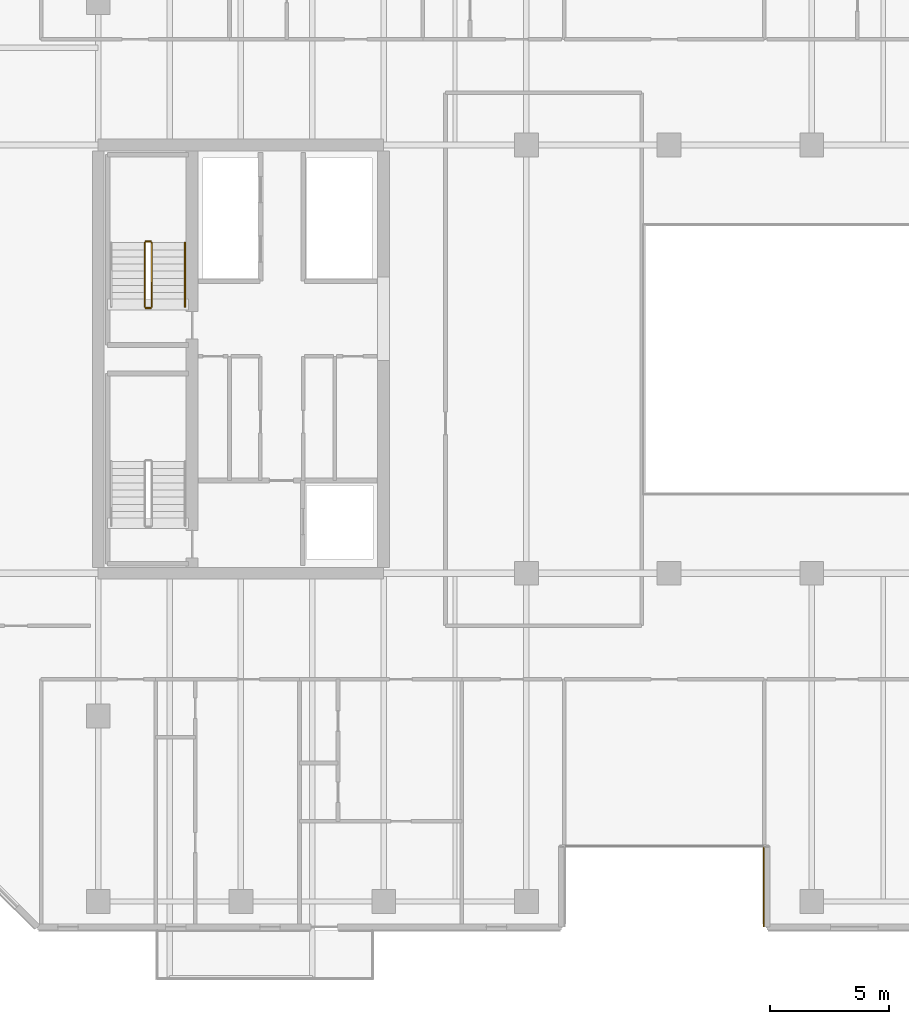
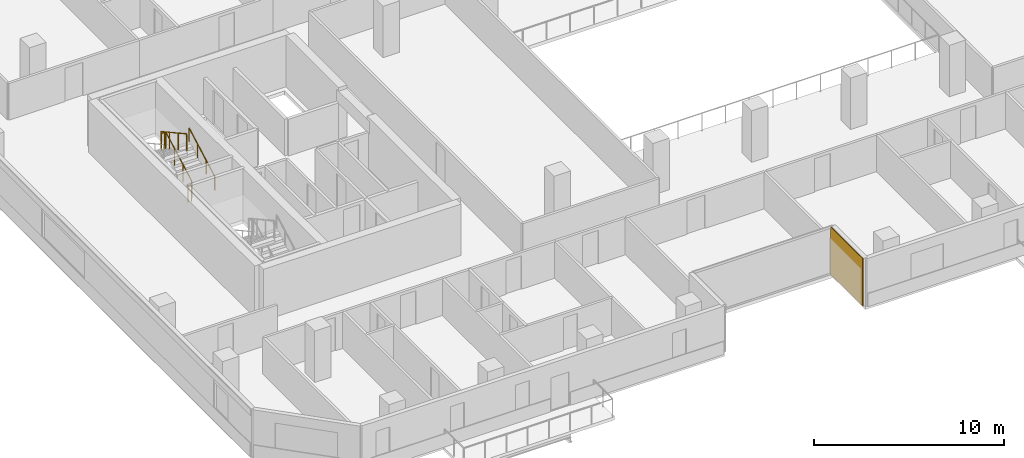
# One storey, part 20 of 23: 5 railings, 1 covering.
"""IFC4 building model written with IfcOpenShell, lengths in metres."""

from ifc_helpers import new_model, si_unit, direction, frame, origin, origin_2d, place, context, subcontext, project, spatial, rectangle, extrude, material, layer, layer_set, type_object, element, save


model = new_model("IFC4")

# Units and contexts
model_context = context("Model", 3, precision=1e-05, world=origin(), true_north=direction((0.0, 1.0)))
body_context = subcontext(model_context, "Body", "Model", "MODEL_VIEW")
ifc_project = project(units=[si_unit("LENGTHUNIT", "METRE"), si_unit("AREAUNIT", "SQUARE_METRE"), si_unit("VOLUMEUNIT", "CUBIC_METRE"), si_unit("PLANEANGLEUNIT", "RADIAN"), si_unit("MASSUNIT", "GRAM", prefix="KILO")], contexts=[model_context])

# Site, building, storey
site_placement = place(None, origin())
site = spatial("IfcSite", under=ifc_project, at=site_placement, CompositionType="ELEMENT")
building_placement = place(site_placement, origin())
building = spatial("IfcBuilding", under=site, at=building_placement, Name="Tanjung Sevakor Pilgrim Tower", CompositionType="ELEMENT")
storey_placement = place(building_placement, frame((0.0, 0.0, 85.469970703125)))
storey = spatial("IfcBuildingStorey", under=building, at=storey_placement, Name="L23", CompositionType="ELEMENT", Elevation=85.469970703125)

# Covering
ifc_material_1 = material(Name="Reconstructed Limestone Cladding", Category="masonry")
ifc_layer = layer(ifc_material_1, 0.044921875)
ifc_layer_set = layer_set([ifc_layer], Name="COV-CLAD-LIMESTONE")
covering_type = type_object("IfcCoveringType", Name="COV-CLAD-LIMESTONE", PredefinedType="CLADDING", material=ifc_layer_set)
covering_placement = place(storey_placement, frame((51.9775390625, 11.425048828125, 0.02001953125), z_axis=(0.0, 0.0, 1.0), x_axis=(0.0, -1.0, 0.0)))
element("IfcCovering", 1, at=covering_placement, inside=storey, type_object=covering_type, Name="L23 Warm Limestone Wall Cladding EW-L23-MAIN-4", PredefinedType="CLADDING", context=body_context, shape_type="SweptSolid", body=[
    extrude(rectangle(XDim=3.360107421875, YDim=0.044921875, at=origin_2d()), origin(), (0.0, 0.0, 1.0), 3.0400390625),
])

# Railings
ifc_material_2 = material(Name="Steel S355J2", Category="steel")
railing_type_1 = type_object("IfcRailingType", Name="RL-STAIR-GUARD", PredefinedType="GUARDRAIL", material=ifc_material_2)
railing_1_placement = place(storey_placement, frame((26.25, 35.800048828125, 0.1650390625)))
element("IfcRailing", 2, at=railing_1_placement, inside=storey, type_object=railing_type_1, Name="L23 TS-W2 stair guard 1", PredefinedType="GUARDRAIL", context=body_context, shape_type="SweptSolid", body=[
    extrude(rectangle(XDim=0.0479, YDim=0.0479), frame((0.0, 0.0, 1.076171875), z_axis=(0.0, 0.876197507361, 0.481952205197), x_axis=(-1.0, 0.0, 0.0)), (0.0, 0.0, 1.0), 3.08154296875),
    extrude(rectangle(XDim=0.042, YDim=0.042), origin(), (0.0, 0.0, 1.0), 1.052001953125),
    extrude(rectangle(XDim=0.042, YDim=0.042), frame((0.0, 0.89990234375, 0.4951171875)), (0.0, 0.0, 1.0), 1.052001953125),
    extrude(rectangle(XDim=0.042, YDim=0.042), frame((0.0, 1.800048828125, 0.989990234375)), (0.0, 0.0, 1.0), 1.052001953125),
    extrude(rectangle(XDim=0.042, YDim=0.042), frame((0.0, 2.699951171875, 1.485107421875)), (0.0, 0.0, 1.0), 1.052001953125),
])
railing_2_placement = place(storey_placement, frame((26.199951171875, 38.550048828125, 1.650146484375)))
element("IfcRailing", 3, at=railing_2_placement, inside=storey, type_object=railing_type_1, Name="L23 TS-W2 stair guard 2", PredefinedType="GUARDRAIL", context=body_context, shape_type="SweptSolid", body=[
    extrude(rectangle(XDim=0.0479, YDim=0.0479), frame((0.0, 0.0, 1.076171875), z_axis=(-1.0, 0.0, 0.0), x_axis=(0.0, -1.0, 0.0)), (0.0, 0.0, 1.0), 0.199951171875),
    extrude(rectangle(XDim=0.042, YDim=0.042), origin(), (0.0, 0.0, 1.0), 1.052001953125),
    extrude(rectangle(XDim=0.042, YDim=0.042), frame((-0.199951171875, 0.0, 0.0)), (0.0, 0.0, 1.0), 1.052001953125),
])
railing_3_placement = place(storey_placement, frame((25.949951171875, 38.5, 1.81494140625)))
element("IfcRailing", 4, at=railing_3_placement, inside=storey, type_object=railing_type_1, Name="L23 TS-W2 stair guard 3", PredefinedType="GUARDRAIL", context=body_context, shape_type="SweptSolid", body=[
    extrude(rectangle(XDim=0.0479, YDim=0.0479), frame((0.0, 0.0, 1.076171875), z_axis=(0.0, -0.876197507361, 0.481952205197), x_axis=(1.0, 0.0, 0.0)), (0.0, 0.0, 1.0), 3.08154296875),
    extrude(rectangle(XDim=0.042, YDim=0.042), origin(), (0.0, 0.0, 1.0), 1.052001953125),
    extrude(rectangle(XDim=0.042, YDim=0.042), frame((0.0, -0.89990234375, 0.4951171875)), (0.0, 0.0, 1.0), 1.052001953125),
    extrude(rectangle(XDim=0.042, YDim=0.042), frame((0.0, -1.800048828125, 0.989990234375)), (0.0, 0.0, 1.0), 1.052001953125),
    extrude(rectangle(XDim=0.042, YDim=0.042), frame((0.0, -2.699951171875, 1.485107421875)), (0.0, 0.0, 1.0), 1.052001953125),
])
railing_4_placement = place(storey_placement, frame((26.199951171875, 35.75, 0.0)))
element("IfcRailing", 5, at=railing_4_placement, inside=storey, type_object=railing_type_1, Name="L23 TS-W2 stair guard 4", PredefinedType="GUARDRAIL", context=body_context, shape_type="SweptSolid", body=[
    extrude(rectangle(XDim=0.0479, YDim=0.0479), frame((0.0, 0.0, 1.076171875), z_axis=(-1.0, 0.0, 0.0), x_axis=(0.0, -1.0, 0.0)), (0.0, 0.0, 1.0), 0.199951171875),
    extrude(rectangle(XDim=0.042, YDim=0.042), origin(), (0.0, 0.0, 1.0), 1.052001953125),
    extrude(rectangle(XDim=0.042, YDim=0.042), frame((-0.199951171875, 0.0, 0.0)), (0.0, 0.0, 1.0), 1.052001953125),
])
ifc_material_3 = material(Name="Steel S355J2", Category="steel")
railing_type_2 = type_object("IfcRailingType", Name="RL-STAIR-HAND", PredefinedType="HANDRAIL", material=ifc_material_3)
railing_5_placement = place(storey_placement, frame((27.64990234375, 35.800048828125, 0.1650390625)))
element("IfcRailing", 6, at=railing_5_placement, inside=storey, type_object=railing_type_2, Name="L23 TS-W2 stair handrail 1", PredefinedType="HANDRAIL", context=body_context, shape_type="SweptSolid", body=[
    extrude(rectangle(XDim=0.0479, YDim=0.0479), frame((0.0, 0.0, 0.8759765625), z_axis=(0.0, 0.876197507361, 0.481952205197), x_axis=(-1.0, 0.0, 0.0)), (0.0, 0.0, 1.0), 3.08154296875),
    extrude(rectangle(XDim=0.042, YDim=0.042), origin(), (0.0, 0.0, 1.0), 0.851806640625),
    extrude(rectangle(XDim=0.042, YDim=0.042), frame((0.0, 0.89990234375, 0.4951171875)), (0.0, 0.0, 1.0), 0.851806640625),
    extrude(rectangle(XDim=0.042, YDim=0.042), frame((0.0, 1.800048828125, 0.989990234375)), (0.0, 0.0, 1.0), 0.851806640625),
    extrude(rectangle(XDim=0.042, YDim=0.042), frame((0.0, 2.699951171875, 1.485107421875)), (0.0, 0.0, 1.0), 0.851806640625),
])

save(model, "model.ifc")
